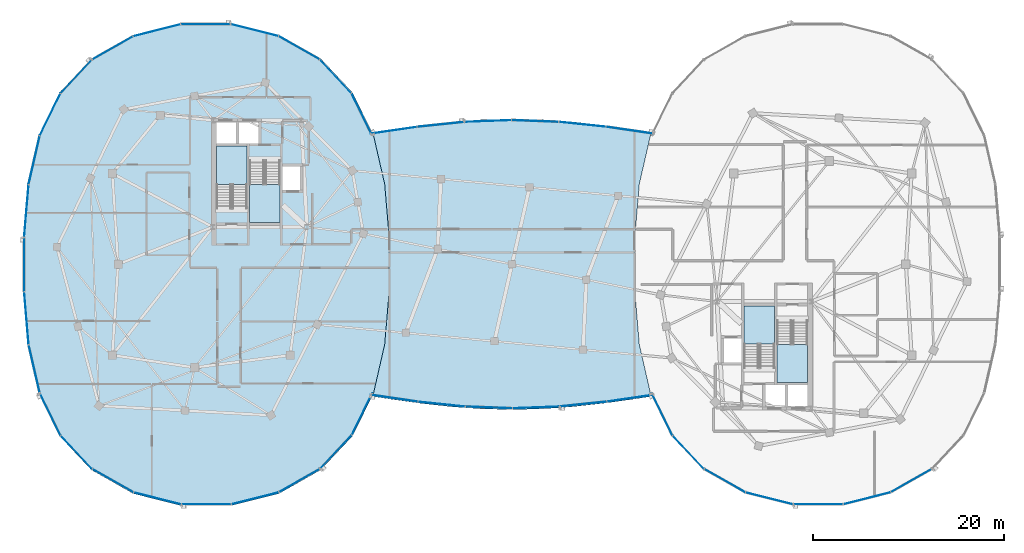
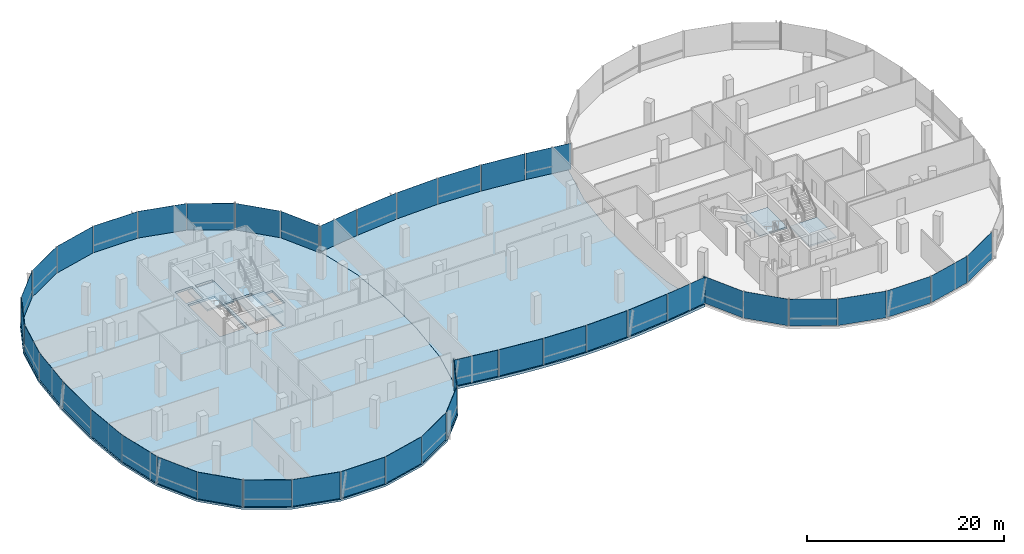
# One storey, part 12 of 25: 42 plates, 6 slabs, 11 elements without a shape of their own.
"""IFC4 building model written with IfcOpenShell, lengths in metres."""

from ifc_helpers import new_model, si_unit, direction, frame, origin, origin_2d, place, context, subcontext, project, spatial, polyline, rectangle, outline, extrude, material, layer, layer_set, type_object, element, aggregate, save


model = new_model("IFC4")

# Units and contexts
model_context = context("Model", 3, precision=1e-05, world=origin(), true_north=direction((0.0, 1.0)))
body_context = subcontext(model_context, "Body", "Model", "MODEL_VIEW")
ifc_project = project(units=[si_unit("LENGTHUNIT", "METRE"), si_unit("AREAUNIT", "SQUARE_METRE"), si_unit("VOLUMEUNIT", "CUBIC_METRE"), si_unit("PLANEANGLEUNIT", "RADIAN"), si_unit("MASSUNIT", "GRAM", prefix="KILO"), si_unit("THERMODYNAMICTEMPERATUREUNIT", "KELVIN"), si_unit("POWERUNIT", "WATT")], contexts=[model_context])

# Site, building, storey
site_placement = place(None, origin())
site = spatial("IfcSite", under=ifc_project, at=site_placement, CompositionType="ELEMENT")
building_placement = place(site_placement, origin())
building = spatial("IfcBuilding", under=site, at=building_placement, Name="Cundina Bronze Exchange", CompositionType="ELEMENT")
storey_placement = place(building_placement, frame((0.0, 0.0, 250.39990234375)))
storey = spatial("IfcBuildingStorey", under=building, at=storey_placement, Name="L66", CompositionType="ELEMENT", Elevation=250.39990234375)

# Curtain wall, plates
ifc_material_1 = material(Name="Anodised Bronze Aluminium 6063-T6", Category="aluminium")
curtain_wall_type = type_object("IfcCurtainWallType", Name="CWS-SKG-BRG", PredefinedType="NOTDEFINED", material=ifc_material_1)
curtain_wall_1_placement = place(storey_placement, origin())
curtain_wall_1 = element("IfcCurtainWall", 1, at=curtain_wall_1_placement, inside=storey, type_object=curtain_wall_type, Name="L66 CW-06 Curtain Wall Run CWR-L66-W1", PredefinedType="NOTDEFINED")
ifc_material_2 = material(Name="Heat-Strengthened Solar-Control Bronze Safety Glass 28mm", Category="glass")
ifc_layer_1 = layer(ifc_material_2, 0.028076171875, Name="Heat-Strengthened Solar-Control Bronze Safety Glass 28mm", Category="glass")
ifc_layer_set_1 = layer_set([ifc_layer_1], Name="Heat-Strengthened Solar-Control Bronze Safety Glass 28mm")
plate_type_1 = type_object("IfcPlateType", Name="PLT-GLZ-VIS28", PredefinedType="CURTAIN_PANEL", material=ifc_layer_set_1)
plate_1_placement = place(storey_placement, frame((-15.69873046875, 15.68017578125, 0.02001953125), z_axis=(0.0, 0.0, 1.0), x_axis=(-0.440503330345, 0.897750976582, 0.0)))
plate_1 = element("IfcPlate", 2, at=plate_1_placement, type_object=plate_type_1, Name="CW-06 Glazed Panel 1", PredefinedType="CURTAIN_PANEL", context=body_context, shape_type="SweptSolid", body=[
    extrude(rectangle(XDim=4.863525390625, YDim=0.028076171875, at=origin_2d()), origin(), (0.0, 0.0, 1.0), 3.300048828125),
])
plate_2_placement = place(storey_placement, frame((-18.431884765625, 19.64501953125, 0.02001953125), z_axis=(0.0, 0.0, 1.0), x_axis=(-0.684343512797, 0.72915976061, 0.0)))
plate_2 = element("IfcPlate", 3, at=plate_2_placement, type_object=plate_type_1, Name="CW-06 Glazed Panel 2", PredefinedType="CURTAIN_PANEL", context=body_context, shape_type="SweptSolid", body=[
    extrude(rectangle(XDim=4.773193359375, YDim=0.028076171875, at=origin_2d()), origin(), (0.0, 0.0, 1.0), 3.300048828125),
])
plate_3_placement = place(storey_placement, frame((-22.23828125, 22.6279296875, 0.02001953125), z_axis=(0.0, 0.0, 1.0), x_axis=(-0.869572506985, 0.493805280547, 0.0)))
plate_3 = element("IfcPlate", 4, at=plate_3_placement, type_object=plate_type_1, Name="CW-06 Glazed Panel 3", PredefinedType="CURTAIN_PANEL", context=body_context, shape_type="SweptSolid", body=[
    extrude(rectangle(XDim=4.907958984375, YDim=0.028076171875, at=origin_2d()), origin(), (0.0, 0.0, 1.0), 3.300048828125),
])
plate_4_placement = place(storey_placement, frame((-32.0, 25.110107421875, 0.02001953125), z_axis=(0.0, 0.0, 1.0), x_axis=(-1.0, 0.0, 0.0)))
plate_4 = element("IfcPlate", 5, at=plate_4_placement, type_object=plate_type_1, Name="CW-06 Glazed Panel 5", PredefinedType="CURTAIN_PANEL", context=body_context, shape_type="SweptSolid", body=[
    extrude(rectangle(XDim=5.16796875, YDim=0.028076171875, at=origin_2d()), origin(), (0.0, 0.0, 1.0), 3.300048828125),
])
plate_5_placement = place(storey_placement, frame((-37.109375, 24.4814453125, 0.02001953125), z_axis=(0.0, 0.0, 1.0), x_axis=(-0.969731542251, -0.244173577528, 0.0)))
plate_5 = element("IfcPlate", 6, at=plate_5_placement, type_object=plate_type_1, Name="CW-06 Glazed Panel 6", PredefinedType="CURTAIN_PANEL", context=body_context, shape_type="SweptSolid", body=[
    extrude(rectangle(XDim=5.0908203125, YDim=0.028076171875, at=origin_2d()), origin(), (0.0, 0.0, 1.0), 3.300048828125),
])
plate_6_placement = place(storey_placement, frame((-41.76171875, 22.6279296875, 0.02001953125), z_axis=(0.0, 0.0, 1.0), x_axis=(-0.869572506985, -0.493805280547, 0.0)))
plate_6 = element("IfcPlate", 7, at=plate_6_placement, type_object=plate_type_1, Name="CW-06 Glazed Panel 7", PredefinedType="CURTAIN_PANEL", context=body_context, shape_type="SweptSolid", body=[
    extrude(rectangle(XDim=4.907958984375, YDim=0.028076171875, at=origin_2d()), origin(), (0.0, 0.0, 1.0), 3.300048828125),
])

curtain_wall_2_placement = place(storey_placement, origin())
curtain_wall_2 = element("IfcCurtainWall", 8, at=curtain_wall_2_placement, inside=storey, type_object=curtain_wall_type, Name="L66 CW-06 Curtain Wall Run CWR-L66-W2", PredefinedType="NOTDEFINED")
plate_7_placement = place(storey_placement, frame((-45.568115234375, 19.64501953125, 0.02001953125), z_axis=(0.0, 0.0, 1.0), x_axis=(-0.684343512797, -0.72915976061, 0.0)))
plate_7 = element("IfcPlate", 9, at=plate_7_placement, type_object=plate_type_1, Name="CW-06 Glazed Panel 1", PredefinedType="CURTAIN_PANEL", context=body_context, shape_type="SweptSolid", body=[
    extrude(rectangle(XDim=4.773193359375, YDim=0.028076171875, at=origin_2d()), origin(), (0.0, 0.0, 1.0), 3.300048828125),
])
plate_8_placement = place(storey_placement, frame((-48.30126953125, 15.68017578125, 0.02001953125), z_axis=(0.0, 0.0, 1.0), x_axis=(-0.440503330345, -0.897750976582, 0.0)))
plate_8 = element("IfcPlate", 10, at=plate_8_placement, type_object=plate_type_1, Name="CW-06 Glazed Panel 2", PredefinedType="CURTAIN_PANEL", context=body_context, shape_type="SweptSolid", body=[
    extrude(rectangle(XDim=4.863525390625, YDim=0.028076171875, at=origin_2d()), origin(), (0.0, 0.0, 1.0), 3.300048828125),
])
plate_9_placement = place(storey_placement, frame((-50.78662109375, 5.605712890625, 0.02001953125), z_axis=(0.0, 0.0, 1.0), x_axis=(-0.083747411454, -0.996487015006, 0.0)))
plate_9 = element("IfcPlate", 11, at=plate_9_placement, type_object=plate_type_1, Name="CW-06 Glazed Panel 4", PredefinedType="CURTAIN_PANEL", context=body_context, shape_type="SweptSolid", body=[
    extrude(rectangle(XDim=5.474609375, YDim=0.028076171875, at=origin_2d()), origin(), (0.0, 0.0, 1.0), 3.300048828125),
])
plate_10_placement = place(storey_placement, frame((-51.01904296875, 0.0, 0.02001953125), z_axis=(0.0, 0.0, 1.0), x_axis=(0.0, -1.0, 0.0)))
plate_10 = element("IfcPlate", 12, at=plate_10_placement, type_object=plate_type_1, Name="CW-06 Glazed Panel 5", PredefinedType="CURTAIN_PANEL", context=body_context, shape_type="SweptSolid", body=[
    extrude(rectangle(XDim=5.597900390625, YDim=0.028076171875, at=origin_2d()), origin(), (0.0, 0.0, 1.0), 3.300048828125),
])
plate_11_placement = place(storey_placement, frame((-50.78662109375, -5.605712890625, 0.02001953125), z_axis=(0.0, 0.0, 1.0), x_axis=(0.083747411454, -0.996487015006, 0.0)))
plate_11 = element("IfcPlate", 13, at=plate_11_placement, type_object=plate_type_1, Name="CW-06 Glazed Panel 6", PredefinedType="CURTAIN_PANEL", context=body_context, shape_type="SweptSolid", body=[
    extrude(rectangle(XDim=5.474609375, YDim=0.028076171875, at=origin_2d()), origin(), (0.0, 0.0, 1.0), 3.300048828125),
])
plate_12_placement = place(storey_placement, frame((-49.96923828125, -10.922607421875, 0.02001953125), z_axis=(0.0, 0.0, 1.0), x_axis=(0.223284141459, -0.974753400698, 0.0)))
plate_12 = element("IfcPlate", 14, at=plate_12_placement, type_object=plate_type_1, Name="CW-06 Glazed Panel 7", PredefinedType="CURTAIN_PANEL", context=body_context, shape_type="SweptSolid", body=[
    extrude(rectangle(XDim=5.167724609375, YDim=0.028076171875, at=origin_2d()), origin(), (0.0, 0.0, 1.0), 3.300048828125),
])

curtain_wall_3_placement = place(storey_placement, origin())
curtain_wall_3 = element("IfcCurtainWall", 15, at=curtain_wall_3_placement, inside=storey, type_object=curtain_wall_type, Name="L66 CW-06 Curtain Wall Run CWR-L66-W3", PredefinedType="NOTDEFINED")
plate_13_placement = place(storey_placement, frame((-48.30126953125, -15.68017578125, 0.02001953125), z_axis=(0.0, 0.0, 1.0), x_axis=(0.440503330345, -0.897750976582, 0.0)))
plate_13 = element("IfcPlate", 16, at=plate_13_placement, type_object=plate_type_1, Name="CW-06 Glazed Panel 1", PredefinedType="CURTAIN_PANEL", context=body_context, shape_type="SweptSolid", body=[
    extrude(rectangle(XDim=4.863525390625, YDim=0.028076171875, at=origin_2d()), origin(), (0.0, 0.0, 1.0), 3.300048828125),
])
plate_14_placement = place(storey_placement, frame((-41.76171875, -22.6279296875, 0.02001953125), z_axis=(0.0, 0.0, 1.0), x_axis=(0.869572506985, -0.493805280547, 0.0)))
plate_14 = element("IfcPlate", 17, at=plate_14_placement, type_object=plate_type_1, Name="CW-06 Glazed Panel 3", PredefinedType="CURTAIN_PANEL", context=body_context, shape_type="SweptSolid", body=[
    extrude(rectangle(XDim=4.907958984375, YDim=0.028076171875, at=origin_2d()), origin(), (0.0, 0.0, 1.0), 3.300048828125),
])
plate_15_placement = place(storey_placement, frame((-37.109375, -24.4814453125, 0.02001953125), z_axis=(0.0, 0.0, 1.0), x_axis=(0.969731542251, -0.244173577528, 0.0)))
plate_15 = element("IfcPlate", 18, at=plate_15_placement, type_object=plate_type_1, Name="CW-06 Glazed Panel 4", PredefinedType="CURTAIN_PANEL", context=body_context, shape_type="SweptSolid", body=[
    extrude(rectangle(XDim=5.0908203125, YDim=0.028076171875, at=origin_2d()), origin(), (0.0, 0.0, 1.0), 3.300048828125),
])
plate_16_placement = place(storey_placement, frame((-32.0, -25.110107421875, 0.02001953125), z_axis=(0.0, 0.0, 1.0), x_axis=(1.0, 0.0, 0.0)))
plate_16 = element("IfcPlate", 19, at=plate_16_placement, type_object=plate_type_1, Name="CW-06 Glazed Panel 5", PredefinedType="CURTAIN_PANEL", context=body_context, shape_type="SweptSolid", body=[
    extrude(rectangle(XDim=5.16796875, YDim=0.028076171875, at=origin_2d()), origin(), (0.0, 0.0, 1.0), 3.300048828125),
])
plate_17_placement = place(storey_placement, frame((-26.890625, -24.4814453125, 0.02001953125), z_axis=(0.0, 0.0, 1.0), x_axis=(0.969731542251, 0.244173577528, 0.0)))
plate_17 = element("IfcPlate", 20, at=plate_17_placement, type_object=plate_type_1, Name="CW-06 Glazed Panel 6", PredefinedType="CURTAIN_PANEL", context=body_context, shape_type="SweptSolid", body=[
    extrude(rectangle(XDim=5.0908203125, YDim=0.028076171875, at=origin_2d()), origin(), (0.0, 0.0, 1.0), 3.300048828125),
])

# Curtain wall, plate
curtain_wall_4_placement = place(storey_placement, origin())
curtain_wall_4 = element("IfcCurtainWall", 21, at=curtain_wall_4_placement, inside=storey, type_object=curtain_wall_type, Name="L66 CW-06 Curtain Wall Run CWR-L66-W4", PredefinedType="NOTDEFINED")
plate_18_placement = place(storey_placement, frame((-15.69873046875, -15.68017578125, 0.02001953125), z_axis=(0.0, 0.0, 1.0), x_axis=(0.440503330345, 0.897750976582, 0.0)))
plate_18 = element("IfcPlate", 22, at=plate_18_placement, type_object=plate_type_1, Name="CW-06 Glazed Panel 2", PredefinedType="CURTAIN_PANEL", context=body_context, shape_type="SweptSolid", body=[
    extrude(rectangle(XDim=4.863525390625, YDim=0.028076171875, at=origin_2d()), origin(), (0.0, 0.0, 1.0), 3.300048828125),
])

# Curtain wall, plates
curtain_wall_5_placement = place(storey_placement, origin())
curtain_wall_5 = element("IfcCurtainWall", 23, at=curtain_wall_5_placement, inside=storey, type_object=curtain_wall_type, Name="L66 CW-06 Curtain Wall Run CWR-L66-E3", PredefinedType="NOTDEFINED")
plate_19_placement = place(storey_placement, frame((15.69873046875, -15.68017578125, 0.02001953125), z_axis=(0.0, 0.0, 1.0), x_axis=(0.440503330345, -0.897750976582, 0.0)))
plate_19 = element("IfcPlate", 24, at=plate_19_placement, type_object=plate_type_1, Name="CW-06 Glazed Panel 1", PredefinedType="CURTAIN_PANEL", context=body_context, shape_type="SweptSolid", body=[
    extrude(rectangle(XDim=4.863525390625, YDim=0.028076171875, at=origin_2d()), origin(), (0.0, 0.0, 1.0), 3.300048828125),
])
plate_20_placement = place(storey_placement, frame((22.23828125, -22.6279296875, 0.02001953125), z_axis=(0.0, 0.0, 1.0), x_axis=(0.869572506985, -0.493805280547, 0.0)))
plate_20 = element("IfcPlate", 25, at=plate_20_placement, type_object=plate_type_1, Name="CW-06 Glazed Panel 3", PredefinedType="CURTAIN_PANEL", context=body_context, shape_type="SweptSolid", body=[
    extrude(rectangle(XDim=4.907958984375, YDim=0.028076171875, at=origin_2d()), origin(), (0.0, 0.0, 1.0), 3.300048828125),
])
plate_21_placement = place(storey_placement, frame((26.890625, -24.4814453125, 0.02001953125), z_axis=(0.0, 0.0, 1.0), x_axis=(0.969731542251, -0.244173577528, 0.0)))
plate_21 = element("IfcPlate", 26, at=plate_21_placement, type_object=plate_type_1, Name="CW-06 Glazed Panel 4", PredefinedType="CURTAIN_PANEL", context=body_context, shape_type="SweptSolid", body=[
    extrude(rectangle(XDim=5.0908203125, YDim=0.028076171875, at=origin_2d()), origin(), (0.0, 0.0, 1.0), 3.300048828125),
])
plate_22_placement = place(storey_placement, frame((32.0, -25.110107421875, 0.02001953125), z_axis=(0.0, 0.0, 1.0), x_axis=(1.0, 0.0, 0.0)))
plate_22 = element("IfcPlate", 27, at=plate_22_placement, type_object=plate_type_1, Name="CW-06 Glazed Panel 5", PredefinedType="CURTAIN_PANEL", context=body_context, shape_type="SweptSolid", body=[
    extrude(rectangle(XDim=5.16796875, YDim=0.028076171875, at=origin_2d()), origin(), (0.0, 0.0, 1.0), 3.300048828125),
])
plate_23_placement = place(storey_placement, frame((37.109375, -24.4814453125, 0.02001953125), z_axis=(0.0, 0.0, 1.0), x_axis=(0.969731542251, 0.244173577528, 0.0)))
plate_23 = element("IfcPlate", 28, at=plate_23_placement, type_object=plate_type_1, Name="CW-06 Glazed Panel 6", PredefinedType="CURTAIN_PANEL", context=body_context, shape_type="SweptSolid", body=[
    extrude(rectangle(XDim=5.0908203125, YDim=0.028076171875, at=origin_2d()), origin(), (0.0, 0.0, 1.0), 3.300048828125),
])

curtain_wall_6_placement = place(storey_placement, origin())
curtain_wall_6 = element("IfcCurtainWall", 29, at=curtain_wall_6_placement, inside=storey, type_object=curtain_wall_type, Name="L66 CW-06 Curtain Wall Run CWR-L66-BRGS", PredefinedType="NOTDEFINED")
plate_24_placement = place(storey_placement, frame((-12.356201171875, -14.012451171875, 0.02001953125), z_axis=(0.0, 0.0, 1.0), x_axis=(0.989528308409, -0.144338930496, 0.0)))
plate_24 = element("IfcPlate", 30, at=plate_24_placement, type_object=plate_type_1, Name="CW-06 Glazed Panel 1", PredefinedType="CURTAIN_PANEL", context=body_context, shape_type="SweptSolid", body=[
    extrude(rectangle(XDim=4.912353515625, YDim=0.028076171875, at=origin_2d()), origin(), (0.0, 0.0, 1.0), 3.239990234375),
])
plate_25_placement = place(storey_placement, frame((-7.41162109375, -14.629150390625, 0.02001953125), z_axis=(0.0, 0.0, 1.0), x_axis=(0.994672274174, -0.103087666525, 0.0)))
plate_25 = element("IfcPlate", 31, at=plate_25_placement, type_object=plate_type_1, Name="CW-06 Glazed Panel 2", PredefinedType="CURTAIN_PANEL", context=body_context, shape_type="SweptSolid", body=[
    extrude(rectangle(XDim=4.886474609375, YDim=0.028076171875, at=origin_2d()), origin(), (0.0, 0.0, 1.0), 3.239990234375),
])
plate_26_placement = place(storey_placement, frame((-2.47021484375, -14.9775390625, 0.02001953125), z_axis=(0.0, 0.0, 1.0), x_axis=(0.999302568116, -0.037341362551, 0.0)))
plate_26 = element("IfcPlate", 32, at=plate_26_placement, type_object=plate_type_1, Name="CW-06 Glazed Panel 3", PredefinedType="CURTAIN_PANEL", context=body_context, shape_type="SweptSolid", body=[
    extrude(rectangle(XDim=4.863525390625, YDim=0.028076171875, at=origin_2d()), origin(), (0.0, 0.0, 1.0), 3.239990234375),
])
plate_27_placement = place(storey_placement, frame((2.47021484375, -14.9775390625, 0.02001953125), z_axis=(0.0, 0.0, 1.0), x_axis=(0.999302568116, 0.037341362551, 0.0)))
plate_27 = element("IfcPlate", 33, at=plate_27_placement, type_object=plate_type_1, Name="CW-06 Glazed Panel 4", PredefinedType="CURTAIN_PANEL", context=body_context, shape_type="SweptSolid", body=[
    extrude(rectangle(XDim=4.863525390625, YDim=0.028076171875, at=origin_2d()), origin(), (0.0, 0.0, 1.0), 3.239990234375),
])
plate_28_placement = place(storey_placement, frame((12.356201171875, -14.012451171875, 0.02001953125), z_axis=(0.0, 0.0, 1.0), x_axis=(0.989528308409, 0.144338930496, 0.0)))
plate_28 = element("IfcPlate", 34, at=plate_28_placement, type_object=plate_type_1, Name="CW-06 Glazed Panel 6", PredefinedType="CURTAIN_PANEL", context=body_context, shape_type="SweptSolid", body=[
    extrude(rectangle(XDim=4.912353515625, YDim=0.028076171875, at=origin_2d()), origin(), (0.0, 0.0, 1.0), 3.239990234375),
])

curtain_wall_7_placement = place(storey_placement, origin())
curtain_wall_7 = element("IfcCurtainWall", 35, at=curtain_wall_7_placement, inside=storey, type_object=curtain_wall_type, Name="L66 CW-06 Curtain Wall Run CWR-L66-BRGN", PredefinedType="NOTDEFINED")
plate_29_placement = place(storey_placement, frame((12.356201171875, 14.012451171875, 0.02001953125), z_axis=(0.0, 0.0, 1.0), x_axis=(-0.989528308409, 0.144338930496, 0.0)))
plate_29 = element("IfcPlate", 36, at=plate_29_placement, type_object=plate_type_1, Name="CW-06 Glazed Panel 1", PredefinedType="CURTAIN_PANEL", context=body_context, shape_type="SweptSolid", body=[
    extrude(rectangle(XDim=4.912353515625, YDim=0.028076171875, at=origin_2d()), origin(), (0.0, 0.0, 1.0), 3.239990234375),
])
plate_30_placement = place(storey_placement, frame((2.47021484375, 14.9775390625, 0.02001953125), z_axis=(0.0, 0.0, 1.0), x_axis=(-0.999302568116, 0.037341362551, 0.0)))
plate_30 = element("IfcPlate", 37, at=plate_30_placement, type_object=plate_type_1, Name="CW-06 Glazed Panel 3", PredefinedType="CURTAIN_PANEL", context=body_context, shape_type="SweptSolid", body=[
    extrude(rectangle(XDim=4.863525390625, YDim=0.028076171875, at=origin_2d()), origin(), (0.0, 0.0, 1.0), 3.239990234375),
])
plate_31_placement = place(storey_placement, frame((-2.47021484375, 14.9775390625, 0.02001953125), z_axis=(0.0, 0.0, 1.0), x_axis=(-0.999302568116, -0.037341362551, 0.0)))
plate_31 = element("IfcPlate", 38, at=plate_31_placement, type_object=plate_type_1, Name="CW-06 Glazed Panel 4", PredefinedType="CURTAIN_PANEL", context=body_context, shape_type="SweptSolid", body=[
    extrude(rectangle(XDim=4.863525390625, YDim=0.028076171875, at=origin_2d()), origin(), (0.0, 0.0, 1.0), 3.239990234375),
])
plate_32_placement = place(storey_placement, frame((-7.41162109375, 14.629150390625, 0.02001953125), z_axis=(0.0, 0.0, 1.0), x_axis=(-0.994672274174, -0.103087666525, 0.0)))
plate_32 = element("IfcPlate", 39, at=plate_32_placement, type_object=plate_type_1, Name="CW-06 Glazed Panel 5", PredefinedType="CURTAIN_PANEL", context=body_context, shape_type="SweptSolid", body=[
    extrude(rectangle(XDim=4.886474609375, YDim=0.028076171875, at=origin_2d()), origin(), (0.0, 0.0, 1.0), 3.239990234375),
])
plate_33_placement = place(storey_placement, frame((-12.356201171875, 14.012451171875, 0.02001953125), z_axis=(0.0, 0.0, 1.0), x_axis=(-0.989528308409, -0.144338930496, 0.0)))
plate_33 = element("IfcPlate", 40, at=plate_33_placement, type_object=plate_type_1, Name="CW-06 Glazed Panel 6", PredefinedType="CURTAIN_PANEL", context=body_context, shape_type="SweptSolid", body=[
    extrude(rectangle(XDim=4.912353515625, YDim=0.028076171875, at=origin_2d()), origin(), (0.0, 0.0, 1.0), 3.239990234375),
])

# Plate
ifc_material_3 = material(Name="Dark Bronze Spandrel Glass Panel 32mm", Category="glass")
ifc_layer_2 = layer(ifc_material_3, 0.031982421875, Name="Dark Bronze Spandrel Glass Panel 32mm", Category="glass")
ifc_layer_set_2 = layer_set([ifc_layer_2], Name="Dark Bronze Spandrel Glass Panel 32mm")
plate_type_2 = type_object("IfcPlateType", Name="PLT-SPN-BRZ32", PredefinedType="CURTAIN_PANEL", material=ifc_layer_set_2)
plate_34_placement = place(storey_placement, frame((-26.890625, 24.4814453125, 0.02001953125), z_axis=(0.0, 0.0, 1.0), x_axis=(-0.969731542251, 0.244173577528, 0.0)))
plate_34 = element("IfcPlate", 41, at=plate_34_placement, type_object=plate_type_2, Name="CW-06 Glazed Panel 4", PredefinedType="CURTAIN_PANEL", context=body_context, shape_type="SweptSolid", body=[
    extrude(rectangle(XDim=5.0908203125, YDim=0.031982421875, at=origin_2d()), origin(), (0.0, 0.0, 1.0), 3.300048828125),
])

aggregate(curtain_wall_1, [plate_1, plate_2, plate_3, plate_34, plate_4, plate_5, plate_6])

plate_35_placement = place(storey_placement, frame((-49.96923828125, 10.922607421875, 0.02001953125), z_axis=(0.0, 0.0, 1.0), x_axis=(-0.223284141459, -0.974753400698, 0.0)))
plate_35 = element("IfcPlate", 42, at=plate_35_placement, type_object=plate_type_2, Name="CW-06 Glazed Panel 3", PredefinedType="CURTAIN_PANEL", context=body_context, shape_type="SweptSolid", body=[
    extrude(rectangle(XDim=5.167724609375, YDim=0.031982421875, at=origin_2d()), origin(), (0.0, 0.0, 1.0), 3.300048828125),
])

aggregate(curtain_wall_2, [plate_7, plate_8, plate_35, plate_9, plate_10, plate_11, plate_12])

plate_36_placement = place(storey_placement, frame((-45.568115234375, -19.64501953125, 0.02001953125), z_axis=(0.0, 0.0, 1.0), x_axis=(0.684343512797, -0.72915976061, 0.0)))
plate_36 = element("IfcPlate", 43, at=plate_36_placement, type_object=plate_type_2, Name="CW-06 Glazed Panel 2", PredefinedType="CURTAIN_PANEL", context=body_context, shape_type="SweptSolid", body=[
    extrude(rectangle(XDim=4.773193359375, YDim=0.031982421875, at=origin_2d()), origin(), (0.0, 0.0, 1.0), 3.300048828125),
])

plate_37_placement = place(storey_placement, frame((-22.23828125, -22.6279296875, 0.02001953125), z_axis=(0.0, 0.0, 1.0), x_axis=(0.869572506985, 0.493805280547, 0.0)))
plate_37 = element("IfcPlate", 44, at=plate_37_placement, type_object=plate_type_2, Name="CW-06 Glazed Panel 7", PredefinedType="CURTAIN_PANEL", context=body_context, shape_type="SweptSolid", body=[
    extrude(rectangle(XDim=4.907958984375, YDim=0.031982421875, at=origin_2d()), origin(), (0.0, 0.0, 1.0), 3.300048828125),
])

aggregate(curtain_wall_3, [plate_13, plate_36, plate_14, plate_15, plate_16, plate_17, plate_37])

plate_38_placement = place(storey_placement, frame((-18.431884765625, -19.64501953125, 0.02001953125), z_axis=(0.0, 0.0, 1.0), x_axis=(0.684343512797, 0.72915976061, 0.0)))
plate_38 = element("IfcPlate", 45, at=plate_38_placement, type_object=plate_type_2, Name="CW-06 Glazed Panel 1", PredefinedType="CURTAIN_PANEL", context=body_context, shape_type="SweptSolid", body=[
    extrude(rectangle(XDim=4.773193359375, YDim=0.031982421875, at=origin_2d()), origin(), (0.0, 0.0, 1.0), 3.300048828125),
])

aggregate(curtain_wall_4, [plate_38, plate_18])

plate_39_placement = place(storey_placement, frame((18.431884765625, -19.64501953125, 0.02001953125), z_axis=(0.0, 0.0, 1.0), x_axis=(0.684343512797, -0.72915976061, 0.0)))
plate_39 = element("IfcPlate", 46, at=plate_39_placement, type_object=plate_type_2, Name="CW-06 Glazed Panel 2", PredefinedType="CURTAIN_PANEL", context=body_context, shape_type="SweptSolid", body=[
    extrude(rectangle(XDim=4.773193359375, YDim=0.031982421875, at=origin_2d()), origin(), (0.0, 0.0, 1.0), 3.300048828125),
])

plate_40_placement = place(storey_placement, frame((41.76171875, -22.6279296875, 0.02001953125), z_axis=(0.0, 0.0, 1.0), x_axis=(0.869572506985, 0.493805280547, 0.0)))
plate_40 = element("IfcPlate", 47, at=plate_40_placement, type_object=plate_type_2, Name="CW-06 Glazed Panel 7", PredefinedType="CURTAIN_PANEL", context=body_context, shape_type="SweptSolid", body=[
    extrude(rectangle(XDim=4.907958984375, YDim=0.031982421875, at=origin_2d()), origin(), (0.0, 0.0, 1.0), 3.300048828125),
])

aggregate(curtain_wall_5, [plate_19, plate_39, plate_20, plate_21, plate_22, plate_23, plate_40])

plate_41_placement = place(storey_placement, frame((7.41162109375, -14.629150390625, 0.02001953125), z_axis=(0.0, 0.0, 1.0), x_axis=(0.994672274174, 0.103087666525, 0.0)))
plate_41 = element("IfcPlate", 48, at=plate_41_placement, type_object=plate_type_2, Name="CW-06 Glazed Panel 5", PredefinedType="CURTAIN_PANEL", context=body_context, shape_type="SweptSolid", body=[
    extrude(rectangle(XDim=4.886474609375, YDim=0.031982421875, at=origin_2d()), origin(), (0.0, 0.0, 1.0), 3.239990234375),
])

aggregate(curtain_wall_6, [plate_24, plate_25, plate_26, plate_27, plate_41, plate_28])

plate_42_placement = place(storey_placement, frame((7.41162109375, 14.629150390625, 0.02001953125), z_axis=(0.0, 0.0, 1.0), x_axis=(-0.994672274174, 0.103087666525, 0.0)))
plate_42 = element("IfcPlate", 49, at=plate_42_placement, type_object=plate_type_2, Name="CW-06 Glazed Panel 2", PredefinedType="CURTAIN_PANEL", context=body_context, shape_type="SweptSolid", body=[
    extrude(rectangle(XDim=4.886474609375, YDim=0.031982421875, at=origin_2d()), origin(), (0.0, 0.0, 1.0), 3.239990234375),
])

aggregate(curtain_wall_7, [plate_29, plate_42, plate_30, plate_31, plate_32, plate_33])

# Slab
ifc_material_4 = material(Name="Concrete C50/60", Category="concrete")
ifc_layer_3 = layer(ifc_material_4, 0.320068359375, Name="Concrete C50/60", Category="concrete")
ifc_layer_set_3 = layer_set([ifc_layer_3], Name="Concrete C50/60")
slab_type_1 = type_object("IfcSlabType", Name="SLB-BRG-320", PredefinedType="FLOOR", material=ifc_layer_set_3)
slab_1_placement = place(storey_placement, frame((0.0, 0.0, -0.31982421875)))
element("IfcSlab", 50, at=slab_1_placement, inside=storey, type_object=slab_type_1, Name="L66 Sky-Gate Bridge Deck Slab", PredefinedType="FLOOR", context=body_context, shape_type="SweptSolid", body=[
    extrude(outline(polyline([(12.800048828125, -14.093994140625), (9.60009765625, -14.5400390625), (6.39990234375, -14.89404296875), (3.199951171875, -15.1220703125), (0.0, -15.199951171875), (-3.199951171875, -15.1220703125), (-6.39990234375, -14.89404296875), (-9.60009765625, -14.5400390625), (-12.800048828125, -14.093994140625), (-14.634033203125, -13.81103515625), (-14.489013671875, -13.514892578125), (-14.489013671875, -13.514892578125), (-14.489013671875, -13.513916015625), (-13.31494140625, -8.388916015625), (-13.31494140625, -8.388916015625), (-12.84912109375, -2.843994140625), (-12.84912109375, -2.843994140625), (-12.84912109375, 2.843994140625), (-12.84912109375, 2.843994140625), (-13.31494140625, 8.388916015625), (-13.31494140625, 8.388916015625), (-14.489013671875, 13.513916015625), (-14.489013671875, 13.514892578125), (-14.489013671875, 13.514892578125), (-14.634033203125, 13.81103515625), (-12.800048828125, 14.093994140625), (-9.60009765625, 14.5400390625), (-6.39990234375, 14.89404296875), (-3.199951171875, 15.1220703125), (0.0, 15.199951171875), (3.199951171875, 15.1220703125), (6.39990234375, 14.89404296875), (9.60009765625, 14.5400390625), (12.800048828125, 14.093994140625), (14.634033203125, 13.81103515625), (14.489013671875, 13.514892578125), (14.489013671875, 13.514892578125), (14.489013671875, 13.513916015625), (13.31494140625, 8.388916015625), (13.31494140625, 8.388916015625), (12.84912109375, 2.843994140625), (12.84912109375, 2.843994140625), (12.84912109375, -2.843994140625), (12.84912109375, -2.843994140625), (13.31494140625, -8.388916015625), (13.31494140625, -8.388916015625), (14.489013671875, -13.513916015625), (14.489013671875, -13.514892578125), (14.489013671875, -13.514892578125), (14.634033203125, -13.81103515625), (12.800048828125, -14.093994140625)])), origin(), (0.0, 0.0, 1.0), 0.31982421875),
])

# Stair, slab
ifc_material_5 = material(Name="Concrete C40/50", Category="concrete")
stair_type = type_object("IfcStairType", Name="STR-OFF-360", PredefinedType="HALF_TURN_STAIR", material=ifc_material_5)
stair_1_placement = place(storey_placement, origin())
stair_1 = element("IfcStair", 51, at=stair_1_placement, inside=storey, type_object=stair_type, Name="L66 Smokeproof Exit Stair W1", PredefinedType="HALF_TURN_STAIR")
ifc_layer_4 = layer(ifc_material_5, 0.199951171875, Name="Concrete C40/50", Category="concrete")
ifc_layer_set_4 = layer_set([ifc_layer_4], Name="Concrete C40/50")
slab_type_2 = type_object("IfcSlabType", Name="SLB-LND-200", PredefinedType="LANDING", material=ifc_layer_set_4)
slab_2_placement = place(storey_placement, frame((0.0, 0.0, 1.60009765625)))
slab_2 = element("IfcSlab", 52, at=slab_2_placement, type_object=slab_type_2, Name="ST-W1 landing 1", PredefinedType="LANDING", context=body_context, shape_type="SweptSolid", body=[
    extrude(outline(polyline([(-27.739990234375, 8.3701171875), (-27.739990234375, 12.35009765625), (-30.89990234375, 12.35009765625), (-30.89990234375, 8.3701171875), (-27.739990234375, 8.3701171875)])), origin(), (0.0, 0.0, 1.0), 0.199951171875),
])
aggregate(stair_1, [slab_2])

stair_2_placement = place(storey_placement, origin())
stair_2 = element("IfcStair", 53, at=stair_2_placement, inside=storey, type_object=stair_type, Name="L66 Smokeproof Exit Stair W2", PredefinedType="HALF_TURN_STAIR")
slab_3_placement = place(storey_placement, frame((0.0, 0.0, 1.60009765625)))
slab_3 = element("IfcSlab", 54, at=slab_3_placement, type_object=slab_type_2, Name="ST-W2 landing 1", PredefinedType="LANDING", context=body_context, shape_type="SweptSolid", body=[
    extrude(outline(polyline([(-27.43994140625, 8.330078125), (-27.43994140625, 4.35009765625), (-24.280029296875, 4.35009765625), (-24.280029296875, 8.330078125), (-27.43994140625, 8.330078125)])), origin(), (0.0, 0.0, 1.0), 0.199951171875),
])
aggregate(stair_2, [slab_3])

stair_3_placement = place(storey_placement, origin())
stair_3 = element("IfcStair", 55, at=stair_3_placement, inside=storey, type_object=stair_type, Name="L66 Smokeproof Exit Stair E1", PredefinedType="HALF_TURN_STAIR")
slab_4_placement = place(storey_placement, frame((0.0, 0.0, 1.60009765625)))
slab_4 = element("IfcSlab", 56, at=slab_4_placement, type_object=slab_type_2, Name="ST-E1 landing 1", PredefinedType="LANDING", context=body_context, shape_type="SweptSolid", body=[
    extrude(outline(polyline([(27.739990234375, -8.3701171875), (27.739990234375, -12.35009765625), (30.89990234375, -12.35009765625), (30.89990234375, -8.3701171875), (27.739990234375, -8.3701171875)])), origin(), (0.0, 0.0, 1.0), 0.199951171875),
])
aggregate(stair_3, [slab_4])

stair_4_placement = place(storey_placement, origin())
stair_4 = element("IfcStair", 57, at=stair_4_placement, inside=storey, type_object=stair_type, Name="L66 Smokeproof Exit Stair E2", PredefinedType="HALF_TURN_STAIR")
slab_5_placement = place(storey_placement, frame((0.0, 0.0, 1.60009765625)))
slab_5 = element("IfcSlab", 58, at=slab_5_placement, type_object=slab_type_2, Name="ST-E2 landing 1", PredefinedType="LANDING", context=body_context, shape_type="SweptSolid", body=[
    extrude(outline(polyline([(27.43994140625, -8.330078125), (27.43994140625, -4.35009765625), (24.280029296875, -4.35009765625), (24.280029296875, -8.330078125), (27.43994140625, -8.330078125)])), origin(), (0.0, 0.0, 1.0), 0.199951171875),
])
aggregate(stair_4, [slab_5])

# Slab
ifc_layer_5 = layer(ifc_material_4, 0.260009765625, Name="Concrete C50/60", Category="concrete")
ifc_layer_set_5 = layer_set([ifc_layer_5], Name="Concrete C50/60")
slab_type_3 = type_object("IfcSlabType", Name="SLB-OFF-260", PredefinedType="FLOOR", material=ifc_layer_set_5)
slab_6_placement = place(storey_placement, frame((0.0, 0.0, -0.260009765625)))
element("IfcSlab", 59, at=slab_6_placement, inside=storey, type_object=slab_type_3, Name="L66 Leg W Structural Floor Slab", PredefinedType="FLOOR", context=body_context, shape_type="SweptSolid", body=[
    extrude(outline(polyline([(-12.85107421875, 2.843994140625), (-13.31689453125, 8.388916015625), (-14.490966796875, 13.513916015625), (-16.673095703125, 17.9609375), (-20.0009765625, 21.507080078125), (-24.346923828125, 23.97509765625), (-29.37109375, 25.239990234375), (-34.62890625, 25.239990234375), (-39.653076171875, 23.97509765625), (-43.9990234375, 21.507080078125), (-47.326904296875, 17.9609375), (-49.509033203125, 13.513916015625), (-50.68310546875, 8.388916015625), (-51.14892578125, 2.843994140625), (-51.14892578125, -2.843994140625), (-50.68310546875, -8.388916015625), (-49.509033203125, -13.513916015625), (-47.326904296875, -17.9609375), (-43.9990234375, -21.507080078125), (-39.653076171875, -23.97509765625), (-34.62890625, -25.239990234375), (-29.37109375, -25.239990234375), (-24.346923828125, -23.97509765625), (-20.0009765625, -21.507080078125), (-16.673095703125, -17.9609375), (-14.490966796875, -13.513916015625), (-13.31689453125, -8.388916015625), (-12.85107421875, -2.843994140625), (-12.85107421875, 2.843994140625)]), holes=[polyline([(-27.739990234375, 5.85009765625), (-27.739990234375, 12.35009765625), (-30.89990234375, 12.35009765625), (-30.89990234375, 5.85009765625), (-27.739990234375, 5.85009765625)]), polyline([(-27.43994140625, 10.85009765625), (-27.43994140625, 4.35009765625), (-24.280029296875, 4.35009765625), (-24.280029296875, 10.85009765625), (-27.43994140625, 10.85009765625)]), polyline([(-23.97998046875, 10.25), (-22.179931640625, 10.25), (-22.179931640625, 7.75), (-23.97998046875, 7.75), (-23.97998046875, 10.25)]), polyline([(-30.89990234375, 14.949951171875), (-28.85009765625, 14.949951171875), (-28.85009765625, 12.64990234375), (-30.89990234375, 12.64990234375), (-30.89990234375, 14.949951171875)]), polyline([(-28.550048828125, 14.949951171875), (-26.5, 14.949951171875), (-26.5, 12.64990234375), (-28.550048828125, 12.64990234375), (-28.550048828125, 14.949951171875)])]), origin(), (0.0, 0.0, 1.0), 0.260009765625),
])

save(model, "model.ifc")
